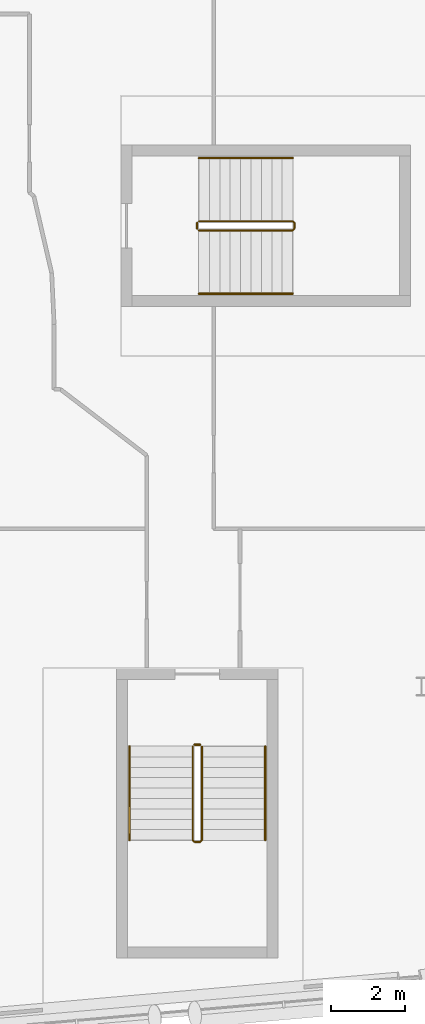
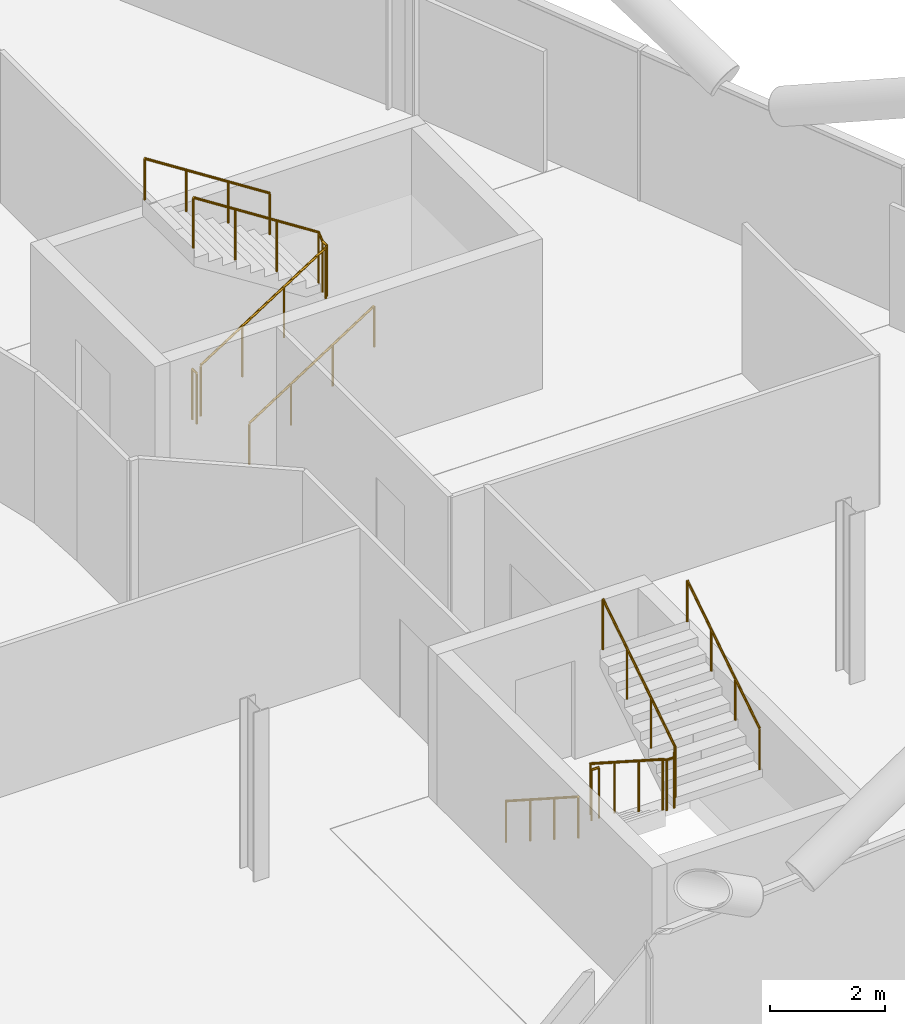
# One storey, part 25 of 26: 8 railings.
"""IFC4 building model written with IfcOpenShell, lengths in metres."""

from ifc_helpers import new_model, si_unit, direction, frame, origin, origin_2d, place, context, subcontext, project, spatial, circle, extrude, material, type_object, element, save


model = new_model("IFC4")

# Units and contexts
model_context = context("Model", 3, precision=1e-05, world=origin(), true_north=direction((0.0, 1.0)))
body_context = subcontext(model_context, "Body", "Model", "MODEL_VIEW")
ifc_project = project(units=[si_unit("LENGTHUNIT", "METRE"), si_unit("AREAUNIT", "SQUARE_METRE"), si_unit("VOLUMEUNIT", "CUBIC_METRE"), si_unit("PLANEANGLEUNIT", "RADIAN"), si_unit("MASSUNIT", "GRAM", prefix="KILO")], contexts=[model_context])

# Site, building, storey
site_placement = place(None, origin())
site = spatial("IfcSite", under=ifc_project, at=site_placement, CompositionType="ELEMENT")
building_placement = place(site_placement, origin())
building = spatial("IfcBuilding", under=site, at=building_placement, Name="Wharfspan Tower", CompositionType="ELEMENT")
storey_placement = place(building_placement, frame((0.0, 0.0, 173.5)))
storey = spatial("IfcBuildingStorey", under=building, at=storey_placement, Name="L42", CompositionType="ELEMENT", Elevation=173.5)

# Railings
ifc_material = material(Name="Steel S355J2", Category="steel")
railing_type_1 = type_object("IfcRailingType", Name="Stair guard 1100", PredefinedType="GUARDRAIL", material=ifc_material)
railing_1_placement = place(storey_placement, frame((65.836426, 9.883789, 0.179932)))
element("IfcRailing", 1, at=railing_1_placement, inside=storey, type_object=railing_type_1, Name="L42 ST5 stair guard 1", PredefinedType="GUARDRAIL", context=body_context, shape_type="SweptSolid", body=[
    extrude(circle(Radius=0.023926, at=origin_2d()), frame((0.0, 0.0, 1.076172), z_axis=(0.0, -0.841163, 0.540782), x_axis=(1.0, 0.0, 0.0)), (0.0, 0.0, 1.0), 2.99585),
    extrude(circle(Radius=0.023926, at=origin_2d()), frame((0.0, -2.52002, 2.696289), z_axis=(0.705376, -0.708834, 0.0), x_axis=(0.708834, 0.705376, 0.0)), (0.0, 0.0, 1.0), 0.070557),
    extrude(circle(Radius=0.023926, at=origin_2d()), frame((0.049805, -2.570068, 2.696289), z_axis=(1.0, 0.0, 0.0), x_axis=(0.0, 1.0, 0.0)), (0.0, 0.0, 1.0), 0.150146),
    extrude(circle(Radius=0.023926, at=origin_2d()), frame((0.199951, -2.570068, 2.696289), z_axis=(0.258848, 0.258848, 0.930589), x_axis=(-0.707107, 0.707107, 0.0)), (0.0, 0.0, 1.0), 0.193359),
    extrude(circle(Radius=0.023926, at=origin_2d()), frame((0.25, -2.52002, 2.875977), z_axis=(0.0, 0.841163, 0.540782), x_axis=(-1.0, 0.0, 0.0)), (0.0, 0.0, 1.0), 2.99585),
    extrude(circle(Radius=0.020996, at=origin_2d()), origin(), (0.0, 0.0, 1.0), 1.052002),
    extrude(circle(Radius=0.020996, at=origin_2d()), frame((0.0, -0.840088, 0.540039)), (0.0, 0.0, 1.0), 1.052002),
    extrude(circle(Radius=0.020996, at=origin_2d()), frame((0.0, -1.679932, 1.080078)), (0.0, 0.0, 1.0), 1.052002),
    extrude(circle(Radius=0.020996, at=origin_2d()), frame((0.0, -2.52002, 1.620117)), (0.0, 0.0, 1.0), 1.052002),
    extrude(circle(Radius=0.020996, at=origin_2d()), frame((0.049805, -2.570068, 1.620117)), (0.0, 0.0, 1.0), 1.052002),
    extrude(circle(Radius=0.020996, at=origin_2d()), frame((0.199951, -2.570068, 1.620117)), (0.0, 0.0, 1.0), 1.052002),
    extrude(circle(Radius=0.020996, at=origin_2d()), frame((0.25, -2.52002, 1.800049)), (0.0, 0.0, 1.0), 1.052002),
    extrude(circle(Radius=0.020996, at=origin_2d()), frame((0.25, -1.679932, 2.340088)), (0.0, 0.0, 1.0), 1.052002),
    extrude(circle(Radius=0.020996, at=origin_2d()), frame((0.25, -0.840088, 2.880127)), (0.0, 0.0, 1.0), 1.052002),
    extrude(circle(Radius=0.020996, at=origin_2d()), frame((0.25, 0.0, 3.420166)), (0.0, 0.0, 1.0), 1.052002),
])
railing_2_placement = place(storey_placement, frame((65.88623, 9.933594, 0.0)))
element("IfcRailing", 2, at=railing_2_placement, inside=storey, type_object=railing_type_1, Name="L42 ST5 stair guard 2", PredefinedType="GUARDRAIL", context=body_context, shape_type="SweptSolid", body=[
    extrude(circle(Radius=0.023926, at=origin_2d()), frame((0.0, 0.0, 1.076172), z_axis=(1.0, 0.0, 0.0), x_axis=(0.0, 1.0, 0.0)), (0.0, 0.0, 1.0), 0.150146),
    extrude(circle(Radius=0.020996, at=origin_2d()), origin(), (0.0, 0.0, 1.0), 1.052002),
    extrude(circle(Radius=0.020996, at=origin_2d()), frame((0.150146, 0.0, 0.0)), (0.0, 0.0, 1.0), 1.052002),
])
railing_3_placement = place(storey_placement, frame((66.004639, 23.774902, 0.179932)))
element("IfcRailing", 3, at=railing_3_placement, inside=storey, type_object=railing_type_1, Name="L42 ST6 stair guard 1", PredefinedType="GUARDRAIL", context=body_context, shape_type="SweptSolid", body=[
    extrude(circle(Radius=0.023926, at=origin_2d()), frame((0.0, 0.0, 1.076172), z_axis=(0.841163, 0.0, 0.540782), x_axis=(0.0, 1.0, 0.0)), (0.0, 0.0, 1.0), 2.99585),
    extrude(circle(Radius=0.023926, at=origin_2d()), frame((2.52002, 0.0, 2.696289), z_axis=(0.707107, 0.707107, 0.0), x_axis=(-0.707107, 0.707107, 0.0)), (0.0, 0.0, 1.0), 0.070801),
    extrude(circle(Radius=0.023926, at=origin_2d()), frame((2.570068, 0.050049, 2.696289), z_axis=(0.0, 1.0, 0.0), x_axis=(-1.0, 0.0, 0.0)), (0.0, 0.0, 1.0), 0.150146),
    extrude(circle(Radius=0.023926, at=origin_2d()), frame((2.570068, 0.200195, 2.696289), z_axis=(-0.258932, 0.257669, 0.930892), x_axis=(-0.705372, -0.708833, 1e-06)), (0.0, 0.0, 1.0), 0.193359),
    extrude(circle(Radius=0.023926, at=origin_2d()), frame((2.52002, 0.25, 2.875977), z_axis=(-0.841163, 0.0, 0.540782), x_axis=(0.0, -1.0, 0.0)), (0.0, 0.0, 1.0), 2.99585),
    extrude(circle(Radius=0.020996, at=origin_2d()), origin(), (0.0, 0.0, 1.0), 1.052002),
    extrude(circle(Radius=0.020996, at=origin_2d()), frame((0.840088, 0.0, 0.540039)), (0.0, 0.0, 1.0), 1.052002),
    extrude(circle(Radius=0.020996, at=origin_2d()), frame((1.679932, 0.0, 1.080078)), (0.0, 0.0, 1.0), 1.052002),
    extrude(circle(Radius=0.020996, at=origin_2d()), frame((2.52002, 0.0, 1.620117)), (0.0, 0.0, 1.0), 1.052002),
    extrude(circle(Radius=0.020996, at=origin_2d()), frame((2.570068, 0.050049, 1.620117)), (0.0, 0.0, 1.0), 1.052002),
    extrude(circle(Radius=0.020996, at=origin_2d()), frame((2.570068, 0.200195, 1.620117)), (0.0, 0.0, 1.0), 1.052002),
    extrude(circle(Radius=0.020996, at=origin_2d()), frame((2.52002, 0.25, 1.800049)), (0.0, 0.0, 1.0), 1.052002),
    extrude(circle(Radius=0.020996, at=origin_2d()), frame((1.679932, 0.25, 2.340088)), (0.0, 0.0, 1.0), 1.052002),
    extrude(circle(Radius=0.020996, at=origin_2d()), frame((0.840088, 0.25, 2.880127)), (0.0, 0.0, 1.0), 1.052002),
    extrude(circle(Radius=0.020996, at=origin_2d()), frame((0.0, 0.25, 3.420166)), (0.0, 0.0, 1.0), 1.052002),
])
railing_4_placement = place(storey_placement, frame((65.95459, 23.824951, 0.0)))
element("IfcRailing", 4, at=railing_4_placement, inside=storey, type_object=railing_type_1, Name="L42 ST6 stair guard 2", PredefinedType="GUARDRAIL", context=body_context, shape_type="SweptSolid", body=[
    extrude(circle(Radius=0.023926, at=origin_2d()), frame((0.0, 0.0, 1.076172), z_axis=(0.0, 1.0, 0.0), x_axis=(-1.0, 0.0, 0.0)), (0.0, 0.0, 1.0), 0.150146),
    extrude(circle(Radius=0.020996, at=origin_2d()), origin(), (0.0, 0.0, 1.0), 1.052002),
    extrude(circle(Radius=0.020996, at=origin_2d()), frame((0.0, 0.150146, 0.0)), (0.0, 0.0, 1.0), 1.052002),
])
railing_type_2 = type_object("IfcRailingType", Name="Stair handrail 900", PredefinedType="HANDRAIL", material=ifc_material)
railing_5_placement = place(storey_placement, frame((64.13623, 9.883789, 0.179932)))
element("IfcRailing", 5, at=railing_5_placement, inside=storey, type_object=railing_type_2, Name="L42 ST5 stair handrail 1", PredefinedType="HANDRAIL", context=body_context, shape_type="SweptSolid", body=[
    extrude(circle(Radius=0.023926, at=origin_2d()), frame((0.0, 0.0, 0.875977), z_axis=(0.0, -0.841163, 0.540782), x_axis=(1.0, 0.0, 0.0)), (0.0, 0.0, 1.0), 2.99585),
    extrude(circle(Radius=0.020996, at=origin_2d()), origin(), (0.0, 0.0, 1.0), 0.851807),
    extrude(circle(Radius=0.020996, at=origin_2d()), frame((0.0, -0.840088, 0.540039)), (0.0, 0.0, 1.0), 0.851807),
    extrude(circle(Radius=0.020996, at=origin_2d()), frame((0.0, -1.679932, 1.080078)), (0.0, 0.0, 1.0), 0.851807),
    extrude(circle(Radius=0.020996, at=origin_2d()), frame((0.0, -2.52002, 1.620117)), (0.0, 0.0, 1.0), 0.851807),
])
railing_6_placement = place(storey_placement, frame((67.786377, 7.36377, 1.97998)))
element("IfcRailing", 6, at=railing_6_placement, inside=storey, type_object=railing_type_2, Name="L42 ST5 stair handrail 2", PredefinedType="HANDRAIL", context=body_context, shape_type="SweptSolid", body=[
    extrude(circle(Radius=0.023926, at=origin_2d()), frame((0.0, 0.0, 0.875977), z_axis=(0.0, 0.841163, 0.540782), x_axis=(-1.0, 0.0, 0.0)), (0.0, 0.0, 1.0), 2.99585),
    extrude(circle(Radius=0.020996, at=origin_2d()), origin(), (0.0, 0.0, 1.0), 0.851807),
    extrude(circle(Radius=0.020996, at=origin_2d()), frame((0.0, 0.840088, 0.540039)), (0.0, 0.0, 1.0), 0.851807),
    extrude(circle(Radius=0.020996, at=origin_2d()), frame((0.0, 1.679932, 1.080078)), (0.0, 0.0, 1.0), 0.851807),
    extrude(circle(Radius=0.020996, at=origin_2d()), frame((0.0, 2.52002, 1.620117)), (0.0, 0.0, 1.0), 0.851807),
])
railing_7_placement = place(storey_placement, frame((66.004639, 22.074951, 0.179932)))
element("IfcRailing", 7, at=railing_7_placement, inside=storey, type_object=railing_type_2, Name="L42 ST6 stair handrail 1", PredefinedType="HANDRAIL", context=body_context, shape_type="SweptSolid", body=[
    extrude(circle(Radius=0.023926, at=origin_2d()), frame((0.0, 0.0, 0.875977), z_axis=(0.841163, 0.0, 0.540782), x_axis=(0.0, 1.0, 0.0)), (0.0, 0.0, 1.0), 2.99585),
    extrude(circle(Radius=0.020996, at=origin_2d()), origin(), (0.0, 0.0, 1.0), 0.851807),
    extrude(circle(Radius=0.020996, at=origin_2d()), frame((0.840088, 0.0, 0.540039)), (0.0, 0.0, 1.0), 0.851807),
    extrude(circle(Radius=0.020996, at=origin_2d()), frame((1.679932, 0.0, 1.080078)), (0.0, 0.0, 1.0), 0.851807),
    extrude(circle(Radius=0.020996, at=origin_2d()), frame((2.52002, 0.0, 1.620117)), (0.0, 0.0, 1.0), 0.851807),
])
railing_8_placement = place(storey_placement, frame((68.524658, 25.725098, 1.97998)))
element("IfcRailing", 8, at=railing_8_placement, inside=storey, type_object=railing_type_2, Name="L42 ST6 stair handrail 2", PredefinedType="HANDRAIL", context=body_context, shape_type="SweptSolid", body=[
    extrude(circle(Radius=0.023926, at=origin_2d()), frame((0.0, 0.0, 0.875977), z_axis=(-0.841163, 0.0, 0.540782), x_axis=(0.0, -1.0, 0.0)), (0.0, 0.0, 1.0), 2.99585),
    extrude(circle(Radius=0.020996, at=origin_2d()), origin(), (0.0, 0.0, 1.0), 0.851807),
    extrude(circle(Radius=0.020996, at=origin_2d()), frame((-0.840088, 0.0, 0.540039)), (0.0, 0.0, 1.0), 0.851807),
    extrude(circle(Radius=0.020996, at=origin_2d()), frame((-1.679932, 0.0, 1.080078)), (0.0, 0.0, 1.0), 0.851807),
    extrude(circle(Radius=0.020996, at=origin_2d()), frame((-2.52002, 0.0, 1.620117)), (0.0, 0.0, 1.0), 0.851807),
])

save(model, "model.ifc")
